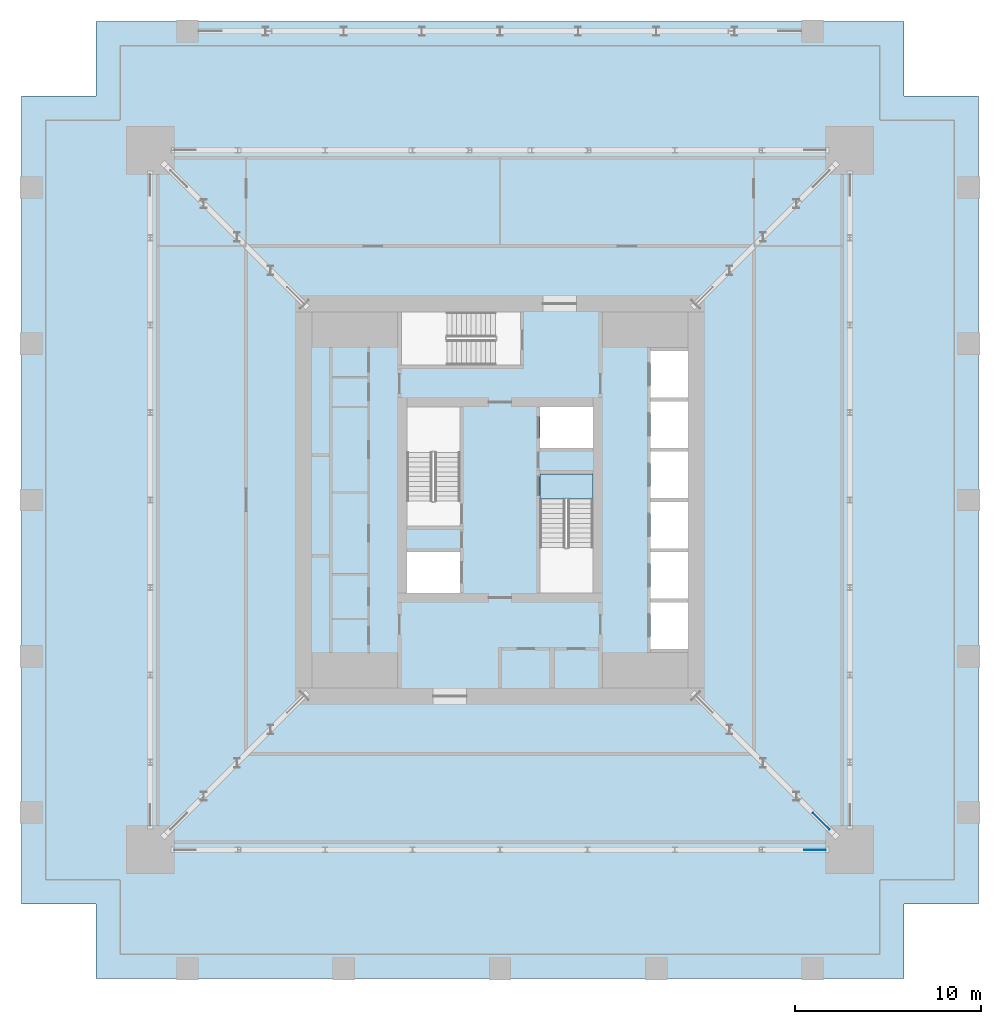
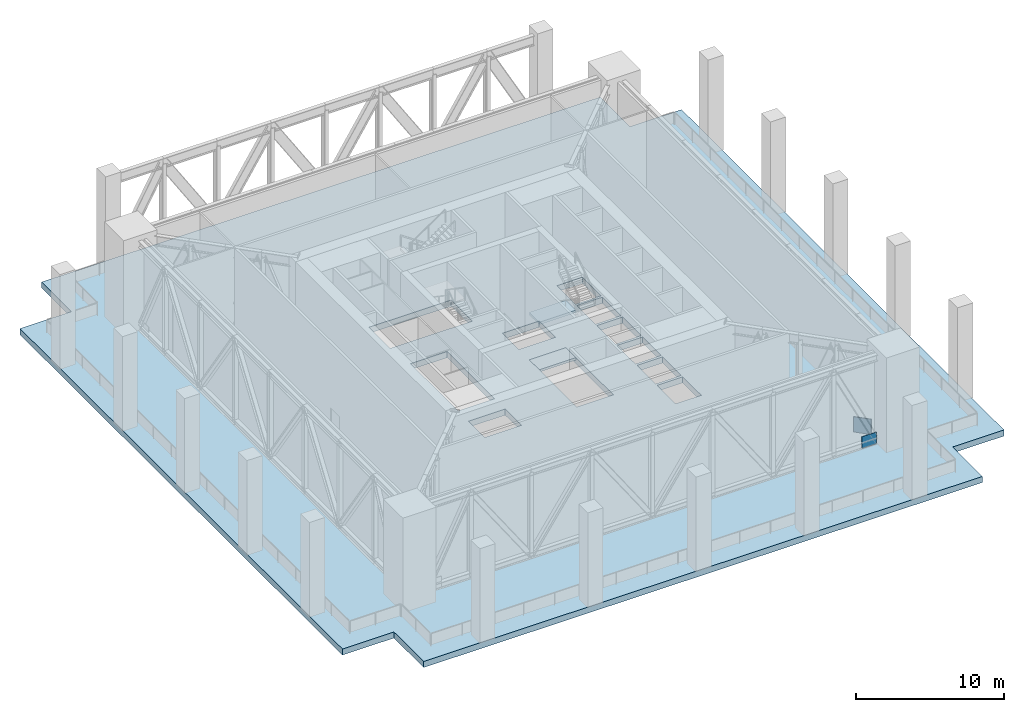
# One storey, part 7 of 17: 3 slabs, 2 plates, 1 element without a shape of its own.
"""IFC4 building model written with IfcOpenShell, lengths in metres."""

from ifc_helpers import new_model, si_unit, direction, frame, origin, origin_2d, place, context, subcontext, project, spatial, polyline, rectangle, outline, extrude, material, layer, layer_set, type_object, element, aggregate, save


model = new_model("IFC4")

# Units and contexts
model_context = context("Model", 3, precision=1e-05, world=origin(), true_north=direction((0.0, 1.0)))
body_context = subcontext(model_context, "Body", "Model", "MODEL_VIEW")
ifc_project = project(units=[si_unit("LENGTHUNIT", "METRE"), si_unit("AREAUNIT", "SQUARE_METRE"), si_unit("VOLUMEUNIT", "CUBIC_METRE"), si_unit("PLANEANGLEUNIT", "RADIAN"), si_unit("MASSUNIT", "GRAM", prefix="KILO")], contexts=[model_context])

# Site, building, storey
site_placement = place(None, origin())
site = spatial("IfcSite", under=ifc_project, at=site_placement, CompositionType="ELEMENT")
building_placement = place(site_placement, origin())
building = spatial("IfcBuilding", under=site, at=building_placement, Name="Khepri Terraces", CompositionType="ELEMENT")
storey_placement = place(building_placement, frame((0.0, 0.0, 180.60009765625)))
storey = spatial("IfcBuildingStorey", under=building, at=storey_placement, Name="L43", CompositionType="ELEMENT", Elevation=180.60009765625)

# Plates
ifc_material_1 = material(Name="Steel S355", Category="steel")
ifc_layer_1 = layer(ifc_material_1, 0.02490234375, Name="Steel S355", Category="steel")
ifc_layer_set_1 = layer_set([ifc_layer_1], Name="Steel S355")
plate_type_1 = type_object("IfcPlateType", Name="Gusset plate 1150x1050x25", PredefinedType="USERDEFINED", material=ifc_layer_set_1)
plate_1_placement = place(storey_placement, frame((16.925048828125, -18.800048828125, -0.10009765625), z_axis=(0.0, 0.0, 1.0), x_axis=(1.0, 0.0, 0.0)))
element("IfcPlate", 1, at=plate_1_placement, inside=storey, type_object=plate_type_1, Name="GUSSET PLATE BT-43-S column node B", ObjectType="GUSSET PLATE", PredefinedType="USERDEFINED", context=body_context, shape_type="SweptSolid", body=[
    extrude(rectangle(XDim=1.14990234375, YDim=0.02490234375, at=origin_2d()), origin(), (0.0, 0.0, 1.0), 1.050048828125),
])
ifc_layer_2 = layer(ifc_material_1, 0.030029296875, Name="Steel S355", Category="steel")
ifc_layer_set_2 = layer_set([ifc_layer_2], Name="Steel S355")
plate_type_2 = type_object("IfcPlateType", Name="Gusset plate 1250x1350x30", PredefinedType="USERDEFINED", material=ifc_layer_set_2)
plate_2_placement = place(storey_placement, frame((17.270263671875, -17.270263671875, -0.10009765625), z_axis=(0.0, 0.0, 1.0), x_axis=(0.707106781187, -0.707106781187, 0.0)))
element("IfcPlate", 2, at=plate_2_placement, inside=storey, type_object=plate_type_2, Name="GUSSET PLATE OT-43-ES column node B", ObjectType="GUSSET PLATE", PredefinedType="USERDEFINED", context=body_context, shape_type="SweptSolid", body=[
    extrude(rectangle(XDim=1.25, YDim=0.030029296875, at=origin_2d()), origin(), (0.0, 0.0, 1.0), 1.35009765625),
])

# Slab
ifc_material_2 = material(Name="Concrete C40/50", Category="concrete")
ifc_layer_3 = layer(ifc_material_2, 0.5, Name="Concrete C40/50", Category="concrete")
ifc_layer_set_3 = layer_set([ifc_layer_3], Name="Concrete C40/50")
slab_type_1 = type_object("IfcSlabType", Name="Plant floor slab 500", PredefinedType="FLOOR", material=ifc_layer_set_3)
slab_1_placement = place(storey_placement, frame((0.0, 0.0, -0.5)))
element("IfcSlab", 3, at=slab_1_placement, inside=storey, type_object=slab_type_1, Name="Floor slab F01 L43", PredefinedType="FLOOR", context=body_context, shape_type="SweptSolid", body=[
    extrude(outline(polyline([(25.719970703125, 21.719970703125), (25.719970703125, -21.719970703125), (21.719970703125, -21.719970703125), (21.719970703125, -25.719970703125), (-21.719970703125, -25.719970703125), (-21.719970703125, -21.719970703125), (-25.719970703125, -21.719970703125), (-25.719970703125, 21.719970703125), (-21.719970703125, 21.719970703125), (-21.719970703125, 25.719970703125), (21.719970703125, 25.719970703125), (21.719970703125, 21.719970703125), (25.719970703125, 21.719970703125)]), holes=[polyline([(2.14990234375, 2.800048828125), (5.0, 2.800048828125), (5.0, 5.0), (2.14990234375, 5.0), (2.14990234375, 2.800048828125)]), polyline([(-5.0, -2.800048828125), (-5.0, -5.0), (-2.14990234375, -5.0), (-2.14990234375, -2.800048828125), (-5.0, -2.800048828125)]), polyline([(10.10009765625, -5.5), (8.10009765625, -5.5), (8.10009765625, -8.0), (10.10009765625, -8.0), (10.10009765625, -5.5)]), polyline([(10.10009765625, -5.300048828125), (10.10009765625, -2.800048828125), (8.10009765625, -2.800048828125), (8.10009765625, -5.300048828125), (10.10009765625, -5.300048828125)]), polyline([(8.10009765625, -2.60009765625), (10.10009765625, -2.60009765625), (10.10009765625, -0.10009765625), (8.10009765625, -0.10009765625), (8.10009765625, -2.60009765625)]), polyline([(8.10009765625, 2.60009765625), (8.10009765625, 0.10009765625), (10.10009765625, 0.10009765625), (10.10009765625, 2.60009765625), (8.10009765625, 2.60009765625)]), polyline([(10.10009765625, 5.300048828125), (8.10009765625, 5.300048828125), (8.10009765625, 2.800048828125), (10.10009765625, 2.800048828125), (10.10009765625, 5.300048828125)]), polyline([(10.10009765625, 5.5), (10.10009765625, 8.0), (8.10009765625, 8.0), (8.10009765625, 5.5), (10.10009765625, 5.5)]), polyline([(-5.0, -1.39990234375), (-2.14990234375, -1.39990234375), (-2.14990234375, 5.0), (-5.0, 5.0), (-5.0, -1.39990234375)]), polyline([(5.0, -5.0), (5.0, 1.39990234375), (2.14990234375, 1.39990234375), (2.14990234375, -5.0), (5.0, -5.0)]), polyline([(-5.300048828125, 10.10009765625), (-5.300048828125, 7.25), (1.10009765625, 7.25), (1.10009765625, 10.10009765625), (-5.300048828125, 10.10009765625)])]), origin(), (0.0, 0.0, 1.0), 0.5),
])

# Stair, slabs
stair_type = type_object("IfcStairType", Name="STAIR-RC-44R", PredefinedType="HALF_TURN_STAIR", material=ifc_material_2)
stair_placement = place(storey_placement, origin())
stair = element("IfcStair", 4, at=stair_placement, inside=storey, type_object=stair_type, Name="L43 Exit Stair ST-2", PredefinedType="HALF_TURN_STAIR")
ifc_layer_4 = layer(ifc_material_2, 0.199951171875, Name="Concrete C40/50", Category="concrete")
ifc_layer_set_4 = layer_set([ifc_layer_4], Name="Concrete C40/50")
slab_type_2 = type_object("IfcSlabType", Name="SLB-CORE-LANDING", PredefinedType="LANDING", material=ifc_layer_set_4)
slab_2_placement = place(storey_placement, frame((0.0, 0.0, -0.2001953125)))
slab_2 = element("IfcSlab", 5, at=slab_2_placement, type_object=slab_type_2, Name="ST-2 landing 1", PredefinedType="LANDING", context=body_context, shape_type="SweptSolid", body=[
    extrude(outline(polyline([(2.14990234375, 1.39990234375), (2.14990234375, 0.050048828125), (5.0, 0.050048828125), (5.0, 1.39990234375), (2.14990234375, 1.39990234375)])), origin(), (0.0, 0.0, 1.0), 0.2001953125),
])
slab_3_placement = place(storey_placement, frame((0.0, 0.0, 3.699951171875)))
slab_3 = element("IfcSlab", 6, at=slab_3_placement, type_object=slab_type_2, Name="ST-2 landing 3", PredefinedType="LANDING", context=body_context, shape_type="SweptSolid", body=[
    extrude(outline(polyline([(2.14990234375, 1.39990234375), (2.14990234375, 0.050048828125), (5.0, 0.050048828125), (5.0, 1.39990234375), (2.14990234375, 1.39990234375)])), origin(), (0.0, 0.0, 1.0), 0.199951171875),
])
aggregate(stair, [slab_2, slab_3])

save(model, "model.ifc")
